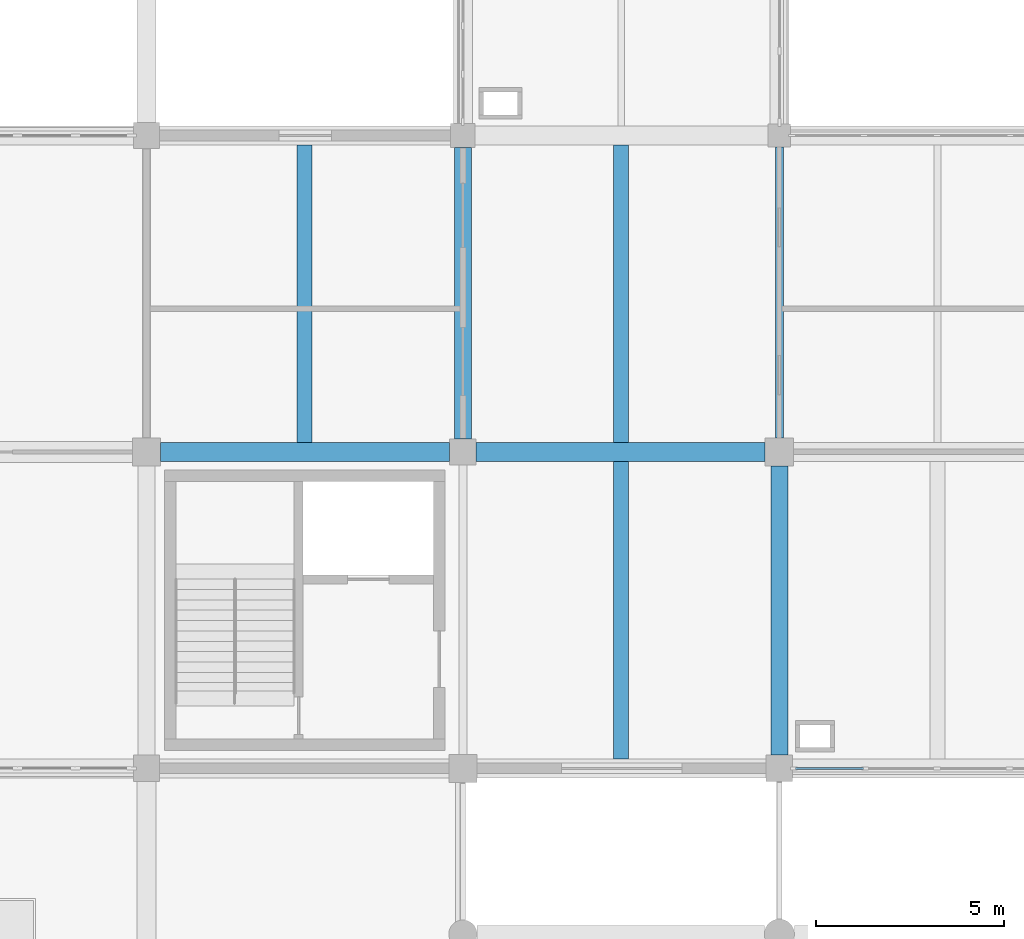
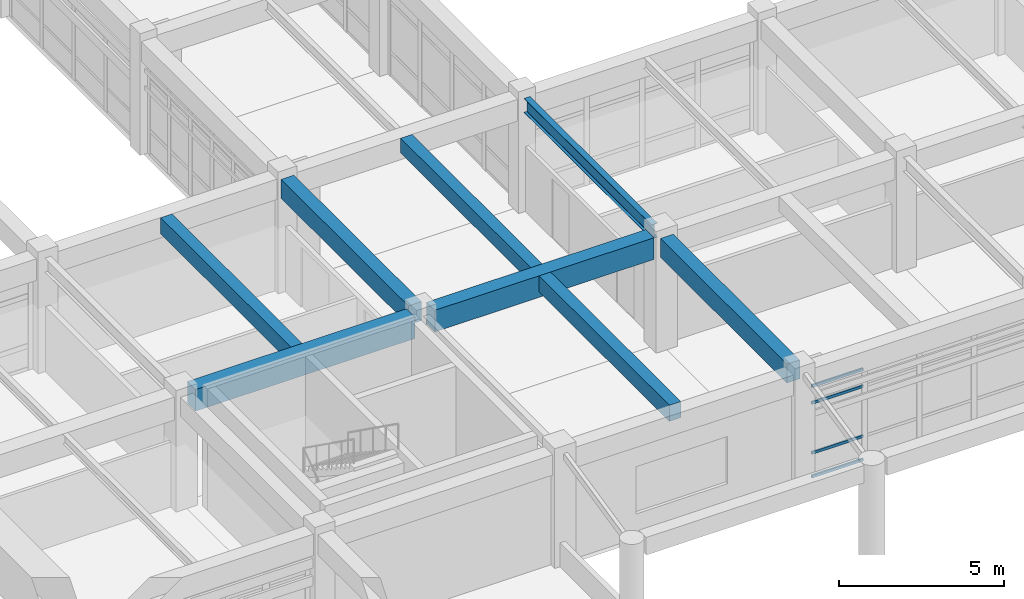
# One storey, part 20 of 99: 8 beams, 4 members, 1 element without a shape of its own.
"""IFC4 building model written with IfcOpenShell, lengths in metres."""

import ifcopenshell
import ifcopenshell.guid

model = None  # the IFC model being written
_history = None  # IfcOwnerHistory: only IFC2X3 demands one
_inside = {}  # id of a spatial element -> (the spatial element, [elements in it])
_under = {}  # id of a project, library or spatial element -> (it, [spatial elements below it])
_declared = {}  # id of a project -> (the project, [libraries it declares])
_typed = {}  # id of a type object -> (the type object, [elements of that type])
_made_of = {}  # id of a material, layer set ... -> (it, [elements and type objects made of it])


def new_model(schema):
    """Start an empty IFC model of exactly this schema.

    Asked for "IFC4X3", IfcOpenShell would pick the latest addendum, in which some entities
    have other attributes; the version numbers below select the first issue.
    IFC2X3 requires an IfcOwnerHistory on every rooted entity: one is made here for all.
    """
    global model, _history
    if schema == "IFC4X3":
        model = ifcopenshell.file(schema_version=(4, 3, 0, 0))
    else:
        model = ifcopenshell.file(schema=schema)
    _inside.clear()
    _under.clear()
    _declared.clear()
    _typed.clear()
    _made_of.clear()
    _history = None
    if model.schema == "IFC2X3":
        org = make("IfcOrganization", Name="unknown")
        user = make(
            "IfcPersonAndOrganization",
            ThePerson=make("IfcPerson", FamilyName="unknown"),
            TheOrganization=org,
        )
        app = make(
            "IfcApplication",
            ApplicationDeveloper=org,
            Version="unknown",
            ApplicationFullName="unknown",
            ApplicationIdentifier="unknown",
        )
        _history = make(
            "IfcOwnerHistory",
            OwningUser=user,
            OwningApplication=app,
            ChangeAction="ADDED",
            CreationDate=0,
        )
    return model


def make(cls, **values):
    """One entity of the class cls with the attributes given. An attribute that is None is left unset."""
    return model.create_entity(
        cls, **{name: value for name, value in values.items() if value is not None}
    )


def rooted(cls, **values):
    """An entity with a GlobalId (a new one), such as an element, a storey or a relation."""
    return make(cls, GlobalId=ifcopenshell.guid.new(), OwnerHistory=_history, **values)


def si_unit(unit_type, name, prefix=None):
    """IfcSIUnit, for example si_unit("LENGTHUNIT", "METRE", prefix="MILLI")."""
    return make("IfcSIUnit", UnitType=unit_type, Prefix=prefix, Name=name)


def assignment(units):
    """IfcUnitAssignment: the units of a project."""
    return None if units is None else make("IfcUnitAssignment", Units=units)


def point(xyz):
    """IfcCartesianPoint."""
    return None if xyz is None else make("IfcCartesianPoint", Coordinates=xyz)


def direction(xyz):
    """IfcDirection."""
    return None if xyz is None else make("IfcDirection", DirectionRatios=xyz)


def frame(location, z_axis=None, x_axis=None):
    """IfcAxis2Placement3D, a coordinate frame: its origin and axes. An axis left out is left unset."""
    return make(
        "IfcAxis2Placement3D",
        Location=point(location),
        Axis=direction(z_axis),
        RefDirection=direction(x_axis),
    )


def frame_2d(location, x_axis=None):
    """IfcAxis2Placement2D, a coordinate frame in the plane: its origin and x axis."""
    return make(
        "IfcAxis2Placement2D", Location=point(location), RefDirection=direction(x_axis)
    )


def origin():
    """The frame at (0, 0, 0) with its axes left unset."""
    return frame((0.0, 0.0, 0.0))


def origin_2d():
    """The frame at (0, 0) in the plane with its x axis left unset."""
    return frame_2d((0.0, 0.0))


def place(relative_to, where):
    """IfcLocalPlacement: puts the frame where relative to a parent placement (None: the world)."""
    return make(
        "IfcLocalPlacement", PlacementRelTo=relative_to, RelativePlacement=where
    )


def context(
    kind, dimensions, precision=None, world=None, true_north=None, identifier=None
):
    """IfcGeometricRepresentationContext, for example the 3D "Model" context."""
    return make(
        "IfcGeometricRepresentationContext",
        ContextIdentifier=identifier,
        ContextType=kind,
        CoordinateSpaceDimension=dimensions,
        Precision=precision,
        WorldCoordinateSystem=world,
        TrueNorth=true_north,
    )


def subcontext(parent, identifier, kind, view, scale=None):
    """IfcGeometricRepresentationSubContext, for example "Body" below "Model"."""
    return make(
        "IfcGeometricRepresentationSubContext",
        ContextIdentifier=identifier,
        ContextType=kind,
        ParentContext=parent,
        TargetScale=scale,
        TargetView=view,
    )


def project(units=None, contexts=None):
    """IfcProject with its units and contexts."""
    return rooted(
        "IfcProject",
        Name="project",
        RepresentationContexts=contexts,
        UnitsInContext=assignment(units),
    )


def spatial(cls, under=None, at=None, **own):
    """A site, building, storey or space (cls), placed at a placement, below another one or the project."""
    s = rooted(cls, ObjectPlacement=at, **own)
    if under is not None:
        _under.setdefault(under.id(), (under, []))[1].append(s)
    return s


def profile(cls, at=None, kind="AREA", **sizes):
    """A parametric profile (cls). Its sizes go by their IFC names, for example OverallWidth=200.0."""
    return make(cls, ProfileType=kind, Position=at, **sizes)


def rectangle(**sizes):
    """IfcRectangleProfileDef."""
    return profile("IfcRectangleProfileDef", **sizes)


def i_section(**sizes):
    """IfcIShapeProfileDef."""
    return profile("IfcIShapeProfileDef", **sizes)


def extrude(swept, where, along, depth):
    """IfcExtrudedAreaSolid: the profile swept, set in the frame where, extruded along a direction by depth."""
    return make(
        "IfcExtrudedAreaSolid",
        SweptArea=swept,
        Position=where,
        ExtrudedDirection=direction(along),
        Depth=depth,
    )


def shape(context_of_items, identifier, shape_type, items):
    """IfcShapeRepresentation: the items that make up one representation, for example the "Body"."""
    return make(
        "IfcShapeRepresentation",
        ContextOfItems=context_of_items,
        RepresentationIdentifier=identifier,
        RepresentationType=shape_type,
        Items=items,
    )


def material(Name=None, Category=None):
    """IfcMaterial."""
    return make("IfcMaterial", Name=Name, Category=Category)


def layer(
    of_material, thickness, ventilated=None, Name=None, Category=None, Priority=None
):
    """IfcMaterialLayer: one layer of a wall or slab, of a material (None: an air gap)."""
    return make(
        "IfcMaterialLayer",
        Material=of_material,
        LayerThickness=thickness,
        IsVentilated=ventilated,
        Name=Name,
        Category=Category,
        Priority=Priority,
    )


def layer_set(layers, Name=None):
    """IfcMaterialLayerSet."""
    return make("IfcMaterialLayerSet", MaterialLayers=layers, LayerSetName=Name)


def material_profile(
    of_material, cross_section, Name=None, Category=None, Priority=None
):
    """IfcMaterialProfile: a cross section and its material."""
    return make(
        "IfcMaterialProfile",
        Name=Name,
        Material=of_material,
        Profile=cross_section,
        Priority=Priority,
        Category=Category,
    )


def profile_set(profiles, Name=None, composite=None):
    """IfcMaterialProfileSet."""
    return make(
        "IfcMaterialProfileSet",
        Name=Name,
        MaterialProfiles=profiles,
        CompositeProfile=composite,
    )


def made_of(thing, what):
    """Note that an element or type object is made of a material, layer set ...; save() writes the relation."""
    if what is not None:
        _made_of.setdefault(what.id(), (what, []))[1].append(thing)
    return thing


def type_object(cls, material=None, **own):
    """A type object (cls), such as IfcWallType, which elements share."""
    return made_of(rooted(cls, **own), material)


def element(
    cls,
    number,
    at=None,
    inside=None,
    cuts=None,
    type_object=None,
    material=None,
    context=None,
    identifier="Body",
    shape_type=None,
    held_by="IfcProductDefinitionShape",
    body=None,
    shapes=None,
    **own,
):
    """One element of the class cls, such as IfcWall. Its Tag is "e" and its number.

    at: its placement. inside: the storey or other place that contains it. cuts: it is an
    opening in that element (IfcRelVoidsElement). A single representation is given by context,
    identifier, shape_type and body (its items); several are given by shapes. held_by: the class
    of the entity that holds the representations. save() writes the other relations.
    """
    e = rooted(cls, Tag="e%d" % number, ObjectPlacement=at, **own)
    if body is not None:
        shapes = [shape(context, identifier, shape_type, body)]
    if shapes is not None:
        e.Representation = make(held_by, Representations=shapes)
    if inside is not None:
        _inside.setdefault(inside.id(), (inside, []))[1].append(e)
    if cuts is not None:
        rooted(
            "IfcRelVoidsElement", RelatingBuildingElement=cuts, RelatedOpeningElement=e
        )
    if type_object is not None:
        _typed.setdefault(type_object.id(), (type_object, []))[1].append(e)
    return made_of(e, material)


def aggregate(whole, parts):
    """IfcRelAggregates: a whole, such as a stair, and the parts it consists of."""
    return rooted("IfcRelAggregates", RelatingObject=whole, RelatedObjects=parts)


def save(model, path):
    """Write the relations noted so far, then the file.

    IfcRelAggregates (storeys below a building ...), IfcRelContainedInSpatialStructure (elements
    in a storey), IfcRelDefinesByType, IfcRelAssociatesMaterial and IfcRelDeclares: one each for
    every whole, place, type object, material and project.
    """
    for whole, parts in _under.values():
        aggregate(whole, parts)
    for where, things in _inside.values():
        rooted(
            "IfcRelContainedInSpatialStructure",
            RelatedElements=things,
            RelatingStructure=where,
        )
    for kind, things in _typed.values():
        rooted("IfcRelDefinesByType", RelatedObjects=things, RelatingType=kind)
    for what, things in _made_of.values():
        rooted("IfcRelAssociatesMaterial", RelatedObjects=things, RelatingMaterial=what)
    for by, libraries in _declared.values():
        rooted("IfcRelDeclares", RelatingContext=by, RelatedDefinitions=libraries)
    model.write(path)


model = new_model("IFC4")

# Units and contexts
model_context = context("Model", 3, precision=1e-05, world=origin(), true_north=direction((0.0, 1.0)))
body_context = subcontext(model_context, "Body", "Model", "MODEL_VIEW")
ifc_project = project(units=[si_unit("LENGTHUNIT", "METRE"), si_unit("AREAUNIT", "SQUARE_METRE"), si_unit("VOLUMEUNIT", "CUBIC_METRE"), si_unit("PLANEANGLEUNIT", "RADIAN"), si_unit("MASSUNIT", "GRAM", prefix="KILO")], contexts=[model_context])

# Site, building, storey
site_placement = place(None, origin())
site = spatial("IfcSite", under=ifc_project, at=site_placement, CompositionType="ELEMENT")
building_placement = place(site_placement, origin())
building = spatial("IfcBuilding", under=site, at=building_placement, Name="Porcellanite Civic Hall", CompositionType="ELEMENT")
storey_placement = place(building_placement, frame((0.0, 0.0, 5.760009765625)))
storey = spatial("IfcBuildingStorey", under=building, at=storey_placement, Name="L01", CompositionType="ELEMENT", Elevation=5.760009765625)

# Beams
ifc_material_1 = material(Name="Concrete N50 (50 MPa)", Category="concrete")
ifc_material_profile_1 = material_profile(ifc_material_1, rectangle(XDim=0.39990234375, YDim=0.550048828125, at=origin_2d()), Name="RC-400x550")
ifc_profile_set_1 = profile_set([ifc_material_profile_1], Name="Concrete N50 (50 MPa)")
beam_type_1 = type_object("IfcBeamType", Name="BM-RC550", PredefinedType="JOIST", material=ifc_profile_set_1)
beam_1_placement = place(storey_placement, frame((121.800048828125, 59.049560546875, 3.925048828125), z_axis=(0.0, 1.0, 0.0), x_axis=(-1.0, 0.0, 0.0)))
element("IfcBeam", 1, at=beam_1_placement, inside=storey, type_object=beam_type_1, Name="Secondary joist L01 15-8", PredefinedType="JOIST", context=body_context, shape_type="SweptSolid", body=[
    extrude(rectangle(XDim=0.39990234375, YDim=0.550048828125, at=origin_2d()), origin(), (0.0, 0.0, 1.0), 7.90087890625),
])
ifc_material_2 = material(Name="Concrete N50 (50 MPa)", Category="concrete")
ifc_material_profile_2 = material_profile(ifc_material_2, rectangle(XDim=0.39990234375, YDim=0.60009765625, at=origin_2d()), Name="RC-400x600")
ifc_profile_set_2 = profile_set([ifc_material_profile_2], Name="Concrete N50 (50 MPa)")
beam_type_2 = type_object("IfcBeamType", Name="BM-RC600", PredefinedType="JOIST", material=ifc_profile_set_2)
beam_2_placement = place(storey_placement, frame((113.39990234375, 59.049560546875, 3.89990234375), z_axis=(0.0, 1.0, 0.0), x_axis=(-1.0, 0.0, 0.0)))
element("IfcBeam", 2, at=beam_2_placement, inside=storey, type_object=beam_type_2, Name="Secondary joist L01 14-8", PredefinedType="JOIST", context=body_context, shape_type="SweptSolid", body=[
    extrude(rectangle(XDim=0.39990234375, YDim=0.60009765625, at=origin_2d()), origin(), (0.0, 0.0, 1.0), 7.90087890625),
])
beam_3_placement = place(storey_placement, frame((121.800048828125, 50.6494140625, 3.89990234375), z_axis=(0.0, 1.0, 0.0), x_axis=(-1.0, 0.0, 0.0)))
element("IfcBeam", 3, at=beam_3_placement, inside=storey, type_object=beam_type_2, Name="Secondary joist L01 15-7", PredefinedType="JOIST", context=body_context, shape_type="SweptSolid", body=[
    extrude(rectangle(XDim=0.39990234375, YDim=0.60009765625, at=origin_2d()), origin(), (0.0, 0.0, 1.0), 7.901123046875),
])
ifc_material_3 = material(Name="Concrete N50 (50 MPa)", Category="concrete")
ifc_material_profile_3 = material_profile(ifc_material_3, rectangle(XDim=0.449951171875, YDim=0.699951171875, at=origin_2d()), Name="RC-450x700")
ifc_profile_set_3 = profile_set([ifc_material_profile_3], Name="Concrete N50 (50 MPa)")
beam_type_3 = type_object("IfcBeamType", Name="BM-RC700", PredefinedType="BEAM", material=ifc_profile_set_3)
beam_4_placement = place(storey_placement, frame((117.60009765625, 59.1494140625, 3.85009765625), z_axis=(0.0, 1.0, 0.0), x_axis=(-1.0, 0.0, 0.0)))
element("IfcBeam", 4, at=beam_4_placement, inside=storey, type_object=beam_type_3, Name="Beam Y L01 15-8", PredefinedType="BEAM", context=body_context, shape_type="SweptSolid", body=[
    extrude(rectangle(XDim=0.449951171875, YDim=0.699951171875, at=origin_2d()), origin(), (0.0, 0.0, 1.0), 7.72607421875),
])
beam_5_placement = place(storey_placement, frame((126.0, 50.74951171875, 3.85009765625), z_axis=(0.0, 1.0, 0.0), x_axis=(-1.0, 0.0, 0.0)))
element("IfcBeam", 5, at=beam_5_placement, inside=storey, type_object=beam_type_3, Name="Beam Y L01 16-7", PredefinedType="BEAM", context=body_context, shape_type="SweptSolid", body=[
    extrude(rectangle(XDim=0.449951171875, YDim=0.699951171875, at=origin_2d()), origin(), (0.0, 0.0, 1.0), 7.676025390625),
])
ifc_material_4 = material(Name="Concrete N50 (50 MPa)", Category="concrete")
ifc_material_profile_4 = material_profile(ifc_material_4, rectangle(XDim=0.5, YDim=0.800048828125, at=origin_2d()), Name="RC-500x800")
ifc_profile_set_4 = profile_set([ifc_material_profile_4], Name="Concrete N50 (50 MPa)")
beam_type_4 = type_object("IfcBeamType", Name="BM-RC800", PredefinedType="BEAM", material=ifc_profile_set_4)
for number, where, z_axis, x_axis, name in (
    (6, (109.574462890625, 58.800048828125, 3.800048828125), (1.0, 0.0, 0.0), (0.0, 1.0, 0.0), "Beam X L01 14-8"),
    (7, (117.949462890625, 58.800048828125, 3.800048828125), (1.0, 0.0, 0.0), (0.0, 1.0, 0.0), "Beam X L01 15-8"),
):
    element("IfcBeam", number, at=place(storey_placement, frame(where, z_axis=z_axis, x_axis=x_axis)), inside=storey, type_object=beam_type_4, Name=name, PredefinedType="BEAM", context=body_context, shape_type="SweptSolid", body=[
        extrude(rectangle(XDim=0.5, YDim=0.800048828125, at=origin_2d()), origin(), (0.0, 0.0, 1.0), 7.676025390625),
    ])

# Curtain wall, members
ifc_material_5 = material(Name="Anodised aluminium and solar laminated glass", Category="aluminium")
ifc_layer = layer(ifc_material_5, 0.179931640625)
ifc_layer_set = layer_set([ifc_layer], Name="Anodised aluminium and solar laminated glass")
curtain_wall_type = type_object("IfcCurtainWallType", Name="CW-SYS04", PredefinedType="NOTDEFINED", material=ifc_layer_set)
curtain_wall_placement = place(storey_placement, origin())
curtain_wall = element("IfcCurtainWall", 8, at=curtain_wall_placement, inside=storey, type_object=curtain_wall_type, Name="Curtain wall CW-115", PredefinedType="NOTDEFINED")
ifc_material_6 = material(Name="Anodised aluminium 6063-T6", Category="aluminium")
ifc_material_profile_5 = material_profile(ifc_material_6, rectangle(XDim=0.054931640625, YDim=0.10009765625, at=origin_2d()), Name="AL-55x100")
ifc_profile_set_5 = profile_set([ifc_material_profile_5], Name="Anodised aluminium 6063-T6")
member_type = type_object("IfcMemberType", Name="CWT-05", PredefinedType="USERDEFINED", material=ifc_profile_set_5)
member_1_placement = place(storey_placement, frame((128.231689453125, 50.39990234375, 0.027587890625), z_axis=(-1.0, 0.0, 0.0), x_axis=(0.0, -1.0, 0.0)))
member_1 = element("IfcMember", 9, at=member_1_placement, type_object=member_type, Name="CW-115 transom 4.1", ObjectType="TRANSOM", PredefinedType="USERDEFINED", context=body_context, shape_type="SweptSolid", body=[
    extrude(rectangle(XDim=0.054931640625, YDim=0.10009765625, at=origin_2d()), origin(), (0.0, 0.0, 1.0), 1.8056640625),
])
member_2_placement = place(storey_placement, frame((128.231689453125, 50.39990234375, 0.89990234375), z_axis=(-1.0, 0.0, 0.0), x_axis=(0.0, -1.0, 0.0)))
member_2 = element("IfcMember", 10, at=member_2_placement, type_object=member_type, Name="CW-115 transom 4.2", ObjectType="TRANSOM", PredefinedType="USERDEFINED", context=body_context, shape_type="SweptSolid", body=[
    extrude(rectangle(XDim=0.054931640625, YDim=0.10009765625, at=origin_2d()), origin(), (0.0, 0.0, 1.0), 1.8056640625),
])
member_3_placement = place(storey_placement, frame((128.231689453125, 50.39990234375, 2.75), z_axis=(-1.0, 0.0, 0.0), x_axis=(0.0, -1.0, 0.0)))
member_3 = element("IfcMember", 11, at=member_3_placement, type_object=member_type, Name="CW-115 transom 4.3", ObjectType="TRANSOM", PredefinedType="USERDEFINED", context=body_context, shape_type="SweptSolid", body=[
    extrude(rectangle(XDim=0.054931640625, YDim=0.10009765625, at=origin_2d()), origin(), (0.0, 0.0, 1.0), 1.8056640625),
])
member_4_placement = place(storey_placement, frame((128.231689453125, 50.39990234375, 3.37255859375), z_axis=(-1.0, 0.0, 0.0), x_axis=(0.0, -1.0, 0.0)))
member_4 = element("IfcMember", 12, at=member_4_placement, type_object=member_type, Name="CW-115 transom 4.4", ObjectType="TRANSOM", PredefinedType="USERDEFINED", context=body_context, shape_type="SweptSolid", body=[
    extrude(rectangle(XDim=0.054931640625, YDim=0.10009765625, at=origin_2d()), origin(), (0.0, 0.0, 1.0), 1.8056640625),
])
aggregate(curtain_wall, [member_1, member_2, member_3, member_4])

# Beam
ifc_material_7 = material(Name="Steel Grade 350", Category="steel")
ifc_material_profile_6 = material_profile(ifc_material_7, i_section(OverallWidth=0.208984375, OverallDepth=0.528076171875, WebThickness=0.009521484375, FlangeThickness=0.01318359375, FilletRadius=0.013916015625, at=origin_2d()), Name="530UB82.0")
ifc_profile_set_6 = profile_set([ifc_material_profile_6], Name="Steel Grade 350")
beam_type_5 = type_object("IfcBeamType", Name="RAF-530UB82", PredefinedType="BEAM", material=ifc_profile_set_6)
beam_6_placement = place(storey_placement, frame((126.0, 59.174560546875, 3.93603515625), z_axis=(0.0, 1.0, 0.0), x_axis=(-1.0, 0.0, 0.0)))
element("IfcBeam", 13, at=beam_6_placement, inside=storey, type_object=beam_type_5, Name="Beam Y L01 16-8", PredefinedType="BEAM", context=body_context, shape_type="SweptSolid", body=[
    extrude(i_section(OverallWidth=0.208984375, OverallDepth=0.528076171875, WebThickness=0.009521484375, FlangeThickness=0.01318359375, FilletRadius=0.013916015625, at=origin_2d()), origin(), (0.0, 0.0, 1.0), 7.725830078125),
])

save(model, "model.ifc")
